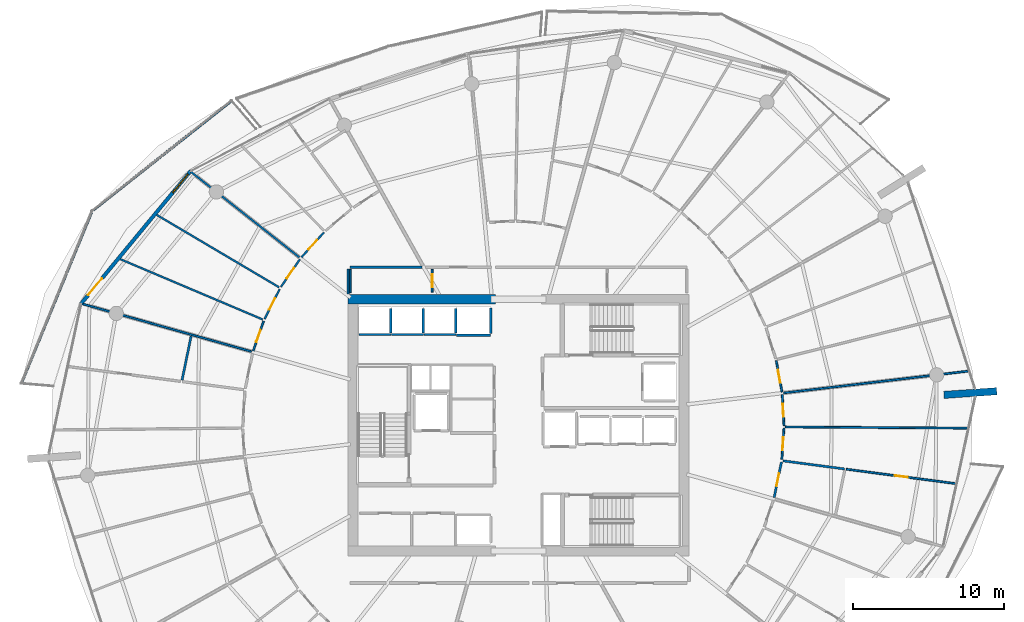
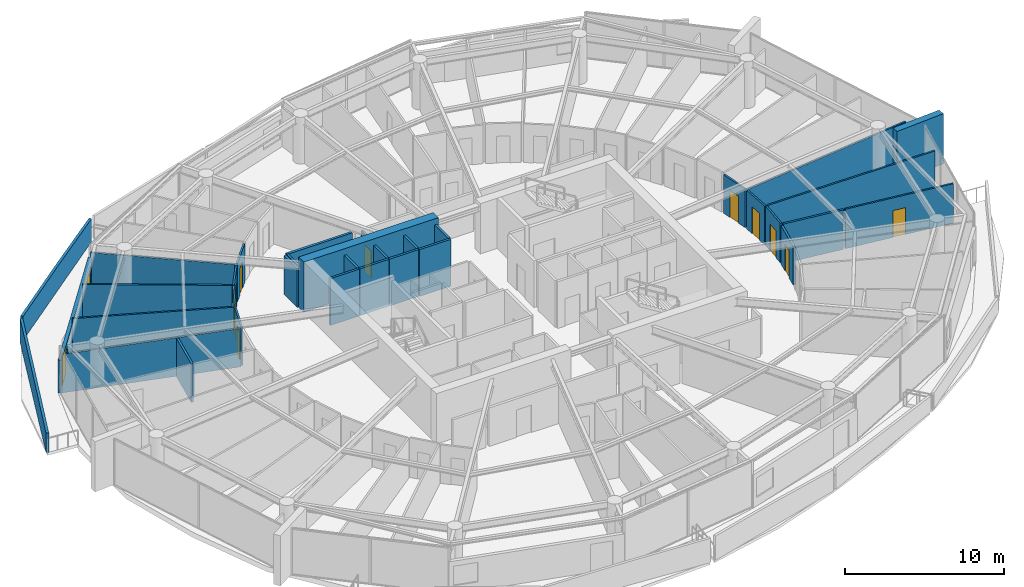
# One storey, part 21 of 30: 34 walls, 11 doors, 1 window, 12 openings.
"""IFC4 building model written with IfcOpenShell, lengths in metres."""

from ifc_helpers import new_model, si_unit, direction, frame, frame_2d, origin, place, context, subcontext, project, spatial, polyline, rectangle, outline, extrude, material, layer, layer_set, type_object, element, fill, save


model = new_model("IFC4")

# Units and contexts
model_context = context("Model", 3, precision=1e-05, world=origin(), true_north=direction((0.0, 1.0)))
body_context = subcontext(model_context, "Body", "Model", "MODEL_VIEW")
ifc_project = project(units=[si_unit("LENGTHUNIT", "METRE"), si_unit("AREAUNIT", "SQUARE_METRE"), si_unit("VOLUMEUNIT", "CUBIC_METRE"), si_unit("PLANEANGLEUNIT", "RADIAN"), si_unit("MASSUNIT", "GRAM", prefix="KILO")], contexts=[model_context])

# Site, building, storey
site_placement = place(None, origin())
site = spatial("IfcSite", under=ifc_project, at=site_placement, CompositionType="ELEMENT")
building_placement = place(site_placement, origin())
building = spatial("IfcBuilding", under=site, at=building_placement, Name="Kazma Halo Residences", CompositionType="ELEMENT")
storey_placement = place(building_placement, frame((0.0, 0.0, 236.699951171875)))
storey = spatial("IfcBuildingStorey", under=building, at=storey_placement, Name="L59", CompositionType="ELEMENT", Elevation=236.699951171875)

# Walls
ifc_material_1 = material(Name="White Concrete C50/60 Balustrade", Category="concrete")
ifc_layer_1 = layer(ifc_material_1, 0.179931640625)
ifc_layer_set_1 = layer_set([ifc_layer_1], Name="White Concrete C50/60 Balustrade")
wall_type_1 = type_object("IfcWallType", Name="WL-BAL-WAVE-180", PredefinedType="PARAPET", material=ifc_layer_set_1)
wall_1_placement = place(storey_placement, frame((29.44287109375, 63.4609375, 0.0), z_axis=(0.0, 0.0, 1.0), x_axis=(-0.784536716277, -0.620082366153, 0.0)))
element("IfcWall", 1, at=wall_1_placement, inside=storey, type_object=wall_type_1, Name="L59 white wave balustrade wall NW.1", PredefinedType="PARAPET", context=body_context, shape_type="SweptSolid", body=[
    extrude(outline(polyline([(0.0, 0.0), (11.65234375, 0.0), (11.652099609375, 1.83203125), (5.826171875, 1.85302734375), (0.0, 1.756103515625), (0.0, 0.0)])), frame((0.0, 0.08984375, 0.0), z_axis=(0.0, -1.0, 0.0), x_axis=(1.0, 0.0, 0.0)), (0.0, 0.0, 1.0), 0.179931640625),
])
wall_2_placement = place(storey_placement, frame((20.16162109375, 56.05029296875, 0.0), z_axis=(0.0, 0.0, 1.0), x_axis=(-0.3796059491, -0.92514827104, 0.0)))
element("IfcWall", 2, at=wall_2_placement, inside=storey, type_object=wall_type_1, Name="L59 white wave balustrade wall NW.2", PredefinedType="PARAPET", context=body_context, shape_type="SweptSolid", body=[
    extrude(outline(polyline([(0.0, 0.0), (12.208740234375, 0.0), (12.20849609375, 1.4970703125), (6.104248046875, 1.696044921875), (0.0, 1.83203125), (0.0, 0.0)])), frame((0.0, 0.08984375, 0.0), z_axis=(0.0, -1.0, 0.0), x_axis=(1.0, 0.0, 0.0)), (0.0, 0.0, 1.0), 0.179931640625),
])
ifc_material_2 = material(Name="Pale Concrete C60/75", Category="concrete")
ifc_layer_2 = layer(ifc_material_2, 0.47998046875)
ifc_layer_set_2 = layer_set([ifc_layer_2], Name="Pale Concrete C60/75")
wall_type_2 = type_object("IfcWallType", Name="WL-BLADE-480", PredefinedType="SOLIDWALL", material=ifc_layer_set_2)
wall_3_placement = place(storey_placement, frame((76.5625, 43.997314453125, 0.0), z_axis=(0.0, 0.0, 1.0), x_axis=(0.997563824095, 0.069759707979, 0.0)))
element("IfcWall", 3, at=wall_3_placement, inside=storey, type_object=wall_type_2, Name="L59 pale concrete structural blade fin wall BW-04", PredefinedType="SOLIDWALL", context=body_context, shape_type="SweptSolid", body=[
    extrude(rectangle(XDim=3.499755859375, YDim=0.47998046875, at=frame_2d((1.75, 0.0))), origin(), (0.0, 0.0, 1.0), 3.85009765625),
])
ifc_material_3 = material(Name="Concrete C60/75", Category="concrete")
ifc_layer_3 = layer(ifc_material_3, 0.64990234375)
ifc_layer_set_3 = layer_set([ifc_layer_3], Name="Concrete C60/75")
wall_type_3 = type_object("IfcWallType", Name="WL-CORE-650", PredefinedType="SHEAR", material=ifc_layer_set_3)
wall_4_placement = place(storey_placement, frame((37.14990234375, 50.324951171875, 0.0), z_axis=(0.0, 0.0, 1.0), x_axis=(1.0, 0.0, 0.0)))
element("IfcWall", 4, at=wall_4_placement, inside=storey, type_object=wall_type_3, Name="L59 central core shear wall NW", PredefinedType="SHEAR", context=body_context, shape_type="SweptSolid", body=[
    extrude(rectangle(XDim=9.75, YDim=0.64990234375, at=frame_2d((4.875, 0.0))), origin(), (0.0, 0.0, 1.0), 3.85009765625),
])
ifc_material_4 = material(Name="Acoustic Twin-Stud Gypsum")
ifc_layer_4 = layer(ifc_material_4, 0.179931640625)
ifc_layer_set_4 = layer_set([ifc_layer_4], Name="Acoustic Twin-Stud Gypsum")
wall_type_4 = type_object("IfcWallType", Name="WL-DEM-180", PredefinedType="PARTITIONING", material=ifc_layer_set_4)
wall_5_placement = place(storey_placement, frame((42.027587890625, 52.449951171875, 0.0), z_axis=(0.0, 0.0, 1.0), x_axis=(-1.0, 0.0, 0.0)))
element("IfcWall", 5, at=wall_5_placement, inside=storey, type_object=wall_type_4, Name="L59 Apartment 2 inner wall 4", PredefinedType="PARTITIONING", context=body_context, shape_type="SweptSolid", body=[
    extrude(rectangle(XDim=4.757568359375, YDim=0.179931640625, at=frame_2d((2.37890625, 0.0))), origin(), (0.0, 0.0, 1.0), 2.95703125),
])
wall_6_placement = place(storey_placement, frame((37.14990234375, 52.330078125, 0.0), z_axis=(0.0, 0.0, 1.0), x_axis=(0.0, -1.0, 0.0)))
element("IfcWall", 6, at=wall_6_placement, inside=storey, type_object=wall_type_4, Name="L59 Apartment 2 inner wall 4", PredefinedType="PARTITIONING", context=body_context, shape_type="SweptSolid", body=[
    extrude(rectangle(XDim=1.656494140625, YDim=0.179931640625, at=frame_2d((0.828125, 0.0))), origin(), (0.0, 0.0, 1.0), 2.95703125),
])

# Wall, openings, door, window
ifc_material_5 = material(Name="Insulated Pale-Metal Composite Wall")
ifc_layer_5 = layer(ifc_material_5, 0.239990234375)
ifc_layer_set_5 = layer_set([ifc_layer_5], Name="Insulated Pale-Metal Composite Wall")
wall_type_5 = type_object("IfcWallType", Name="WL-EXT-HOST-240", PredefinedType="SOLIDWALL", material=ifc_layer_set_5)
wall_7_placement = place(storey_placement, frame((26.7421875, 58.822021484375, 0.0), z_axis=(0.0, 0.0, 1.0), x_axis=(-0.636680093065, -0.771128043255, 0.0)))
wall_7 = element("IfcWall", 7, at=wall_7_placement, inside=storey, type_object=wall_type_5, Name="L59 exterior terrace-access wall B06", PredefinedType="SOLIDWALL", context=body_context, shape_type="SweptSolid", body=[
    extrude(rectangle(XDim=11.438232421875, YDim=0.239990234375, at=frame_2d((5.71923828125, 0.0))), origin(), (0.0, 0.0, 1.0), 2.5400390625),
])
opening_1_placement = place(wall_7_placement, frame((9.21826171875, 0.0, 0.0)))
opening_1 = element("IfcOpeningElement", 8, at=opening_1_placement, cuts=wall_7, Name="Opening DTR-1600", PredefinedType="OPENING", context=body_context, shape_type="SweptSolid", body=[
    extrude(rectangle(XDim=1.449951171875, YDim=2.14990234375, at=frame_2d((0.72509765625, 1.074951171875))), frame((0.0, 0.1298828125, 0.0), z_axis=(0.0, -1.0, 0.0), x_axis=(1.0, 0.0, 0.0)), (0.0, 0.0, 1.0), 0.260009765625),
])
opening_2_placement = place(wall_7_placement, frame((0.280029296875, 0.0, 0.64990234375)))
opening_2 = element("IfcOpeningElement", 9, at=opening_2_placement, cuts=wall_7, Name="Opening W-1800", PredefinedType="OPENING", context=body_context, shape_type="SweptSolid", body=[
    extrude(rectangle(XDim=1.60009765625, YDim=1.5, at=frame_2d((0.800048828125, 0.75))), frame((0.0, 0.1298828125, 0.0), z_axis=(0.0, -1.0, 0.0), x_axis=(1.0, 0.0, 0.0)), (0.0, 0.0, 1.0), 0.260009765625),
])
ifc_material_6 = material(Name="Aluminium AW-6063 T6 Double-Glazed Terrace Door", Category="aluminium")
door_type_1 = type_object("IfcDoorType", Name="DR-EXT-TERR-1600", OperationType="NOTDEFINED", PredefinedType="DOOR", material=ifc_material_6)
door_1_placement = place(opening_1_placement, origin())
door_1 = element("IfcDoor", 10, at=door_1_placement, inside=storey, type_object=door_type_1, Name="L59 B06 balcony terrace door", OperationType="DOUBLE_DOOR_SLIDING", OverallHeight=2.14990234375, OverallWidth=1.449951171875, PredefinedType="DOOR", context=body_context, shape_type="SweptSolid", body=[
    extrude(rectangle(XDim=1.449951171875, YDim=2.14990234375, at=frame_2d((0.72509765625, 1.074951171875))), frame((0.0, 0.02490234375, 0.0), z_axis=(0.0, -1.0, 0.0), x_axis=(1.0, 0.0, 0.0)), (0.0, 0.0, 1.0), 0.050048828125),
])
fill(opening_1, door_1)
ifc_material_7 = material(Name="Clear Triple-Silver Low-E Glass in Aluminium AW-6063 T6 Frame", Category="aluminium")
window_type = type_object("IfcWindowType", Name="WIN-RES-1800", PartitioningType="DOUBLE_PANEL_VERTICAL", PredefinedType="WINDOW", material=ifc_material_7)
window_placement = place(opening_2_placement, origin())
window = element("IfcWindow", 11, at=window_placement, inside=storey, type_object=window_type, Name="L59 B06 apartment window", OverallHeight=1.5, OverallWidth=1.60009765625, PartitioningType="SINGLE_PANEL", PredefinedType="WINDOW", context=body_context, shape_type="SweptSolid", body=[
    extrude(rectangle(XDim=1.60009765625, YDim=1.5, at=frame_2d((0.800048828125, 0.75))), frame((0.0, 0.030029296875, 0.0), z_axis=(0.0, -1.0, 0.0), x_axis=(1.0, 0.0, 0.0)), (0.0, 0.0, 1.0), 0.06005859375),
])
fill(opening_2, window)

# Walls
ifc_material_8 = material(Name="Fire-Rated Blockwork Masonry", Category="masonry")
ifc_layer_6 = layer(ifc_material_8, 0.199951171875)
ifc_layer_set_6 = layer_set([ifc_layer_6], Name="Fire-Rated Blockwork Masonry")
wall_type_6 = type_object("IfcWallType", Name="WL-FLB-200", PredefinedType="PARTITIONING", material=ifc_layer_set_6)
wall_8_placement = place(storey_placement, frame((39.97509765625, 47.9951171875, 0.0), z_axis=(0.0, 0.0, 1.0), x_axis=(-1.0, 0.0, 0.0)))
element("IfcWall", 12, at=wall_8_placement, inside=storey, type_object=wall_type_6, Name="L59 lift shaft PM-01 front wall", PredefinedType="PARTITIONING", context=body_context, shape_type="SweptSolid", body=[
    extrude(rectangle(XDim=2.110107421875, YDim=0.159912109375, at=frame_2d((1.05517578125, 0.0))), origin(), (0.0, 0.0, 1.0), 3.590087890625),
])
wall_9_placement = place(storey_placement, frame((39.97509765625, 48.094970703125, 0.0), z_axis=(0.0, 0.0, 1.0), x_axis=(0.0, 1.0, 0.0)))
element("IfcWall", 13, at=wall_9_placement, inside=storey, type_object=wall_type_6, Name="L59 lift shaft PM-01 side wall E", PredefinedType="PARTITIONING", context=body_context, shape_type="SweptSolid", body=[
    extrude(rectangle(XDim=1.610107421875, YDim=0.159912109375, at=frame_2d((0.80517578125, 0.0))), origin(), (0.0, 0.0, 1.0), 3.590087890625),
])
wall_10_placement = place(storey_placement, frame((42.125, 47.9951171875, 0.0), z_axis=(0.0, 0.0, 1.0), x_axis=(-1.0, 0.0, 0.0)))
element("IfcWall", 14, at=wall_10_placement, inside=storey, type_object=wall_type_6, Name="L59 lift shaft PM-02 front wall", PredefinedType="PARTITIONING", context=body_context, shape_type="SweptSolid", body=[
    extrude(rectangle(XDim=2.110107421875, YDim=0.159912109375, at=frame_2d((1.05517578125, 0.0))), origin(), (0.0, 0.0, 1.0), 3.590087890625),
])
wall_11_placement = place(storey_placement, frame((42.125, 48.094970703125, 0.0), z_axis=(0.0, 0.0, 1.0), x_axis=(0.0, 1.0, 0.0)))
element("IfcWall", 15, at=wall_11_placement, inside=storey, type_object=wall_type_6, Name="L59 lift shaft PM-02 side wall E", PredefinedType="PARTITIONING", context=body_context, shape_type="SweptSolid", body=[
    extrude(rectangle(XDim=1.610107421875, YDim=0.159912109375, at=frame_2d((0.80517578125, 0.0))), origin(), (0.0, 0.0, 1.0), 3.590087890625),
])
wall_12_placement = place(storey_placement, frame((44.27490234375, 47.9951171875, 0.0), z_axis=(0.0, 0.0, 1.0), x_axis=(-1.0, 0.0, 0.0)))
element("IfcWall", 16, at=wall_12_placement, inside=storey, type_object=wall_type_6, Name="L59 lift shaft PM-03 front wall", PredefinedType="PARTITIONING", context=body_context, shape_type="SweptSolid", body=[
    extrude(rectangle(XDim=2.10986328125, YDim=0.159912109375, at=frame_2d((1.054931640625, 0.0))), origin(), (0.0, 0.0, 1.0), 3.590087890625),
])
wall_13_placement = place(storey_placement, frame((44.27490234375, 48.094970703125, 0.0), z_axis=(0.0, 0.0, 1.0), x_axis=(0.0, 1.0, 0.0)))
element("IfcWall", 17, at=wall_13_placement, inside=storey, type_object=wall_type_6, Name="L59 lift shaft PM-03 side wall E", PredefinedType="PARTITIONING", context=body_context, shape_type="SweptSolid", body=[
    extrude(rectangle(XDim=1.610107421875, YDim=0.159912109375, at=frame_2d((0.80517578125, 0.0))), origin(), (0.0, 0.0, 1.0), 3.590087890625),
])
wall_14_placement = place(storey_placement, frame((46.580078125, 47.945068359375, 0.0), z_axis=(0.0, 0.0, 1.0), x_axis=(-1.0, 0.0, 0.0)))
element("IfcWall", 18, at=wall_14_placement, inside=storey, type_object=wall_type_6, Name="L59 lift shaft PX-01 front wall", PredefinedType="PARTITIONING", context=body_context, shape_type="SweptSolid", body=[
    extrude(rectangle(XDim=2.260009765625, YDim=0.159912109375, at=frame_2d((1.1298828125, 0.0))), origin(), (0.0, 0.0, 1.0), 3.590087890625),
])
wall_15_placement = place(storey_placement, frame((46.580078125, 48.044921875, 0.0), z_axis=(0.0, 0.0, 1.0), x_axis=(0.0, 1.0, 0.0)))
element("IfcWall", 19, at=wall_15_placement, inside=storey, type_object=wall_type_6, Name="L59 lift shaft PX-01 side wall E", PredefinedType="PARTITIONING", context=body_context, shape_type="SweptSolid", body=[
    extrude(rectangle(XDim=1.7099609375, YDim=0.159912109375, at=frame_2d((0.85498046875, 0.0))), origin(), (0.0, 0.0, 1.0), 3.590087890625),
])
ifc_material_9 = material(Name="Gypsum Plasterboard Partition")
ifc_layer_7 = layer(ifc_material_9, 0.125)
ifc_layer_set_7 = layer_set([ifc_layer_7], Name="Gypsum Plasterboard Partition")
wall_type_7 = type_object("IfcWallType", Name="WL-PART-125", PredefinedType="PARTITIONING", material=ifc_layer_set_7)
wall_16_placement = place(storey_placement, frame((37.2900390625, 50.77001953125, 0.0), z_axis=(0.0, 0.0, 1.0), x_axis=(0.0, 1.0, 0.0)))
element("IfcWall", 20, at=wall_16_placement, inside=storey, type_object=wall_type_7, Name="L59 west linen end wall", PredefinedType="PARTITIONING", context=body_context, shape_type="SweptSolid", body=[
    extrude(rectangle(XDim=1.5400390625, YDim=0.125, at=frame_2d((0.77001953125, 0.0))), origin(), (0.0, 0.0, 1.0), 3.030029296875),
])

# Wall, opening, door
wall_17_placement = place(storey_placement, frame((42.7099609375, 50.7900390625, 0.0), z_axis=(0.0, 0.0, 1.0), x_axis=(0.0, 1.0, 0.0)))
wall_17 = element("IfcWall", 21, at=wall_17_placement, inside=storey, type_object=wall_type_7, Name="L59 floor linen store door wall", PredefinedType="PARTITIONING", context=body_context, shape_type="SweptSolid", body=[
    extrude(rectangle(XDim=1.52001953125, YDim=0.125, at=frame_2d((0.760009765625, 0.0))), origin(), (0.0, 0.0, 1.0), 2.95703125),
])
opening_3_placement = place(wall_17_placement, frame((0.3349609375, 0.0, 0.0)))
opening_3 = element("IfcOpeningElement", 22, at=opening_3_placement, cuts=wall_17, Name="Opening DS-850", PredefinedType="OPENING", context=body_context, shape_type="SweptSolid", body=[
    extrude(rectangle(XDim=0.85009765625, YDim=2.06005859375, at=frame_2d((0.425048828125, 1.030029296875))), frame((0.0, 0.072509765625, 0.0), z_axis=(0.0, -1.0, 0.0), x_axis=(1.0, 0.0, 0.0)), (0.0, 0.0, 1.0), 0.14501953125),
])
ifc_material_10 = material(Name="Painted Steel Access Leaf", Category="steel")
door_type_2 = type_object("IfcDoorType", Name="DR-SVC-850", OperationType="NOTDEFINED", PredefinedType="DOOR", material=ifc_material_10)
door_2_placement = place(opening_3_placement, origin())
door_2 = element("IfcDoor", 23, at=door_2_placement, inside=storey, type_object=door_type_2, Name="L59 floor linen store door", OperationType="SINGLE_SWING_RIGHT", OverallHeight=2.06005859375, OverallWidth=0.85009765625, PredefinedType="DOOR", context=body_context, shape_type="SweptSolid", body=[
    extrude(rectangle(XDim=0.85009765625, YDim=2.06005859375, at=frame_2d((0.425048828125, 1.030029296875))), frame((0.0, 0.02490234375, 0.0), z_axis=(0.0, -1.0, 0.0), x_axis=(1.0, 0.0, 0.0)), (0.0, 0.0, 1.0), 0.050048828125),
])
fill(opening_3, door_2)

wall_18_placement = place(storey_placement, frame((35.547607421875, 54.745361328125, 0.0), z_axis=(0.0, 0.0, 1.0), x_axis=(-0.670266589225, -0.742120407595, 0.0)))
wall_18 = element("IfcWall", 24, at=wall_18_placement, inside=storey, type_object=wall_type_7, Name="L59 Apartment 2 Primary Bedroom hall wall", PredefinedType="PARTITIONING", context=body_context, shape_type="SweptSolid", body=[
    extrude(rectangle(XDim=2.205078125, YDim=0.125, at=frame_2d((1.1025390625, 0.0))), origin(), (0.0, 0.0, 1.0), 2.95703125),
])
opening_4_placement = place(wall_18_placement, frame((0.677490234375, 0.0, 0.0)))
opening_4 = element("IfcOpeningElement", 25, at=opening_4_placement, cuts=wall_18, Name="Opening DB-900", PredefinedType="OPENING", context=body_context, shape_type="SweptSolid", body=[
    extrude(rectangle(XDim=0.85009765625, YDim=2.06005859375, at=frame_2d((0.425048828125, 1.030029296875))), frame((0.0, 0.072509765625, 0.0), z_axis=(0.0, -1.0, 0.0), x_axis=(1.0, 0.0, 0.0)), (0.0, 0.0, 1.0), 0.14501953125),
])
ifc_material_11 = material(Name="Moisture-Sealed Timber Leaf", Category="wood")
door_type_3 = type_object("IfcDoorType", Name="DR-BTH-900", OperationType="NOTDEFINED", PredefinedType="DOOR", material=ifc_material_11)
door_3_placement = place(opening_4_placement, origin())
door_3 = element("IfcDoor", 26, at=door_3_placement, inside=storey, type_object=door_type_3, Name="L59 Apartment 2 Primary Bedroom door", OperationType="SINGLE_SWING_LEFT", OverallHeight=2.06005859375, OverallWidth=0.85009765625, PredefinedType="DOOR", context=body_context, shape_type="SweptSolid", body=[
    extrude(rectangle(XDim=0.85009765625, YDim=2.06005859375, at=frame_2d((0.425048828125, 1.030029296875))), frame((0.0, 0.02490234375, 0.0), z_axis=(0.0, -1.0, 0.0), x_axis=(1.0, 0.0, 0.0)), (0.0, 0.0, 1.0), 0.050048828125),
])
fill(opening_4, door_3)

# Walls
wall_19_placement = place(storey_placement, frame((33.924072265625, 53.0966796875, 0.0), z_axis=(0.0, 0.0, 1.0), x_axis=(-0.785328718296, 0.619078996752, 0.0)))
element("IfcWall", 27, at=wall_19_placement, inside=storey, type_object=wall_type_7, Name="L59 Apartment 2 radial partition 5", PredefinedType="PARTITIONING", context=body_context, shape_type="SweptSolid", body=[
    extrude(rectangle(XDim=9.16064453125, YDim=0.125, at=frame_2d((4.580322265625, 0.0))), origin(), (0.0, 0.0, 1.0), 2.95703125),
])
wall_20_placement = place(storey_placement, frame((32.58056640625, 51.118896484375, 0.0), z_axis=(0.0, 0.0, 1.0), x_axis=(-0.860730955096, 0.509060136859, 0.0)))
element("IfcWall", 28, at=wall_20_placement, inside=storey, type_object=wall_type_7, Name="L59 Apartment 2 bay wall 1 5", PredefinedType="PARTITIONING", context=body_context, shape_type="SweptSolid", body=[
    extrude(rectangle(XDim=9.397216796875, YDim=0.125, at=frame_2d((4.69873046875, 0.0))), origin(), (0.0, 0.0, 1.0), 3.030029296875),
])
wall_21_placement = place(storey_placement, frame((31.50390625, 48.985107421875, 0.0), z_axis=(0.0, 0.0, 1.0), x_axis=(-0.920847777273, 0.389922262882, 0.0)))
element("IfcWall", 29, at=wall_21_placement, inside=storey, type_object=wall_type_7, Name="L59 Apartment 2 bay wall 2 5", PredefinedType="PARTITIONING", context=body_context, shape_type="SweptSolid", body=[
    extrude(rectangle(XDim=10.241455078125, YDim=0.125, at=frame_2d((5.12060546875, 0.0))), origin(), (0.0, 0.0, 1.0), 3.030029296875),
])

# Wall, opening, door
wall_22_placement = place(storey_placement, frame((33.957275390625, 52.96875, 0.0), z_axis=(0.0, 0.0, 1.0), x_axis=(-0.565322986845, -0.824869638516, 0.0)))
wall_22 = element("IfcWall", 30, at=wall_22_placement, inside=storey, type_object=wall_type_7, Name="L59 Apartment 2 Primary Bedroom hall wall", PredefinedType="PARTITIONING", context=body_context, shape_type="SweptSolid", body=[
    extrude(rectangle(XDim=2.218017578125, YDim=0.125, at=frame_2d((1.10888671875, 0.0))), origin(), (0.0, 0.0, 1.0), 2.95703125),
])
opening_5_placement = place(wall_22_placement, frame((0.68408203125, 0.0, 0.0)))
opening_5 = element("IfcOpeningElement", 31, at=opening_5_placement, cuts=wall_22, Name="Opening DB-900", PredefinedType="OPENING", context=body_context, shape_type="SweptSolid", body=[
    extrude(rectangle(XDim=0.85009765625, YDim=2.06005859375, at=frame_2d((0.425048828125, 1.030029296875))), frame((0.0, 0.072509765625, 0.0), z_axis=(0.0, -1.0, 0.0), x_axis=(1.0, 0.0, 0.0)), (0.0, 0.0, 1.0), 0.14501953125),
])
door_4_placement = place(opening_5_placement, origin())
door_4 = element("IfcDoor", 32, at=door_4_placement, inside=storey, type_object=door_type_3, Name="L59 Apartment 2 Primary Bedroom door", OperationType="SINGLE_SWING_RIGHT", OverallHeight=2.06005859375, OverallWidth=0.85009765625, PredefinedType="DOOR", context=body_context, shape_type="SweptSolid", body=[
    extrude(rectangle(XDim=0.85009765625, YDim=2.06005859375, at=frame_2d((0.425048828125, 1.030029296875))), frame((0.0, 0.02490234375, 0.0), z_axis=(0.0, -1.0, 0.0), x_axis=(1.0, 0.0, 0.0)), (0.0, 0.0, 1.0), 0.050048828125),
])
fill(opening_5, door_4)

wall_23_placement = place(storey_placement, frame((32.6220703125, 51.001708984375, 0.0), z_axis=(0.0, 0.0, 1.0), x_axis=(-0.450512619302, -0.892770059898, 0.0)))
wall_23 = element("IfcWall", 33, at=wall_23_placement, inside=storey, type_object=wall_type_7, Name="L59 Apartment 2 Secondary Study hall wall", PredefinedType="PARTITIONING", context=body_context, shape_type="SweptSolid", body=[
    extrude(rectangle(XDim=2.218017578125, YDim=0.125, at=frame_2d((1.10888671875, 0.0))), origin(), (0.0, 0.0, 1.0), 3.030029296875),
])
opening_6_placement = place(wall_23_placement, frame((0.68408203125, 0.0, 0.0)))
opening_6 = element("IfcOpeningElement", 34, at=opening_6_placement, cuts=wall_23, Name="Opening DB-900", PredefinedType="OPENING", context=body_context, shape_type="SweptSolid", body=[
    extrude(rectangle(XDim=0.85009765625, YDim=2.06005859375, at=frame_2d((0.425048828125, 1.030029296875))), frame((0.0, 0.072509765625, 0.0), z_axis=(0.0, -1.0, 0.0), x_axis=(1.0, 0.0, 0.0)), (0.0, 0.0, 1.0), 0.14501953125),
])
door_5_placement = place(opening_6_placement, origin())
door_5 = element("IfcDoor", 35, at=door_5_placement, inside=storey, type_object=door_type_3, Name="L59 Apartment 2 Secondary Study door", OperationType="SINGLE_SWING_LEFT", OverallHeight=2.06005859375, OverallWidth=0.85009765625, PredefinedType="DOOR", context=body_context, shape_type="SweptSolid", body=[
    extrude(rectangle(XDim=0.85009765625, YDim=2.06005859375, at=frame_2d((0.425048828125, 1.030029296875))), frame((0.0, 0.02490234375, 0.0), z_axis=(0.0, -1.0, 0.0), x_axis=(1.0, 0.0, 0.0)), (0.0, 0.0, 1.0), 0.050048828125),
])
fill(opening_6, door_5)

wall_24_placement = place(storey_placement, frame((31.560302734375, 48.87451171875, 0.0), z_axis=(0.0, 0.0, 1.0), x_axis=(-0.331412511401, -0.943485955002, 0.0)))
wall_24 = element("IfcWall", 36, at=wall_24_placement, inside=storey, type_object=wall_type_7, Name="L59 Apartment 2 East Bedroom hall wall", PredefinedType="PARTITIONING", context=body_context, shape_type="SweptSolid", body=[
    extrude(rectangle(XDim=2.078125, YDim=0.125, at=frame_2d((1.0390625, 0.0))), origin(), (0.0, 0.0, 1.0), 2.95703125),
])
opening_7_placement = place(wall_24_placement, frame((0.6142578125, 0.0, 0.0)))
opening_7 = element("IfcOpeningElement", 37, at=opening_7_placement, cuts=wall_24, Name="Opening DB-900", PredefinedType="OPENING", context=body_context, shape_type="SweptSolid", body=[
    extrude(rectangle(XDim=0.85009765625, YDim=2.06005859375, at=frame_2d((0.425048828125, 1.030029296875))), frame((0.0, 0.072509765625, 0.0), z_axis=(0.0, -1.0, 0.0), x_axis=(1.0, 0.0, 0.0)), (0.0, 0.0, 1.0), 0.14501953125),
])
door_6_placement = place(opening_7_placement, origin())
door_6 = element("IfcDoor", 38, at=door_6_placement, inside=storey, type_object=door_type_3, Name="L59 Apartment 2 East Bedroom door", OperationType="SINGLE_SWING_RIGHT", OverallHeight=2.06005859375, OverallWidth=0.85009765625, PredefinedType="DOOR", context=body_context, shape_type="SweptSolid", body=[
    extrude(rectangle(XDim=0.85009765625, YDim=2.06005859375, at=frame_2d((0.425048828125, 1.030029296875))), frame((0.0, 0.02490234375, 0.0), z_axis=(0.0, -1.0, 0.0), x_axis=(1.0, 0.0, 0.0)), (0.0, 0.0, 1.0), 0.050048828125),
])
fill(opening_7, door_6)

# Wall
wall_25_placement = place(storey_placement, frame((30.7490234375, 46.865234375, 0.0), z_axis=(0.0, 0.0, 1.0), x_axis=(-0.962453068054, 0.271448138313, 0.0)))
element("IfcWall", 39, at=wall_25_placement, inside=storey, type_object=wall_type_7, Name="L59 Apartment 2 radial partition 6", PredefinedType="PARTITIONING", context=body_context, shape_type="SweptSolid", body=[
    extrude(rectangle(XDim=11.57177734375, YDim=0.125, at=frame_2d((5.785888671875, 0.0))), origin(), (0.0, 0.0, 1.0), 2.95703125),
])

# Wall, opening, door
wall_26_placement = place(storey_placement, frame((70.10546875, 39.083740234375, 0.0), z_axis=(0.0, 0.0, 1.0), x_axis=(0.99141356947, -0.130763658066, 0.0)))
wall_26 = element("IfcWall", 40, at=wall_26_placement, inside=storey, type_object=wall_type_7, Name="L59 Apartment 4 Secondary Walk-In Wardrobe partition wall", PredefinedType="PARTITIONING", context=body_context, shape_type="SweptSolid", body=[
    extrude(rectangle(XDim=7.333740234375, YDim=0.125, at=frame_2d((3.6669921875, 0.0))), origin(), (0.0, 0.0, 1.0), 3.030029296875),
])
opening_8_placement = place(wall_26_placement, frame((3.24169921875, 0.0, 0.0)))
opening_8 = element("IfcOpeningElement", 41, at=opening_8_placement, cuts=wall_26, Name="Opening DB-900", PredefinedType="OPENING", context=body_context, shape_type="SweptSolid", body=[
    extrude(rectangle(XDim=0.85009765625, YDim=2.06005859375, at=frame_2d((0.425048828125, 1.030029296875))), frame((0.0, 0.072509765625, 0.0), z_axis=(0.0, -1.0, 0.0), x_axis=(1.0, 0.0, 0.0)), (0.0, 0.0, 1.0), 0.14501953125),
])
door_7_placement = place(opening_8_placement, origin())
door_7 = element("IfcDoor", 42, at=door_7_placement, inside=storey, type_object=door_type_3, Name="L59 Apartment 4 Secondary Walk-In Wardrobe door", OperationType="SINGLE_SWING_LEFT", OverallHeight=2.06005859375, OverallWidth=0.85009765625, PredefinedType="DOOR", context=body_context, shape_type="SweptSolid", body=[
    extrude(rectangle(XDim=0.85009765625, YDim=2.06005859375, at=frame_2d((0.425048828125, 1.030029296875))), frame((0.0, 0.02490234375, 0.0), z_axis=(0.0, -1.0, 0.0), x_axis=(1.0, 0.0, 0.0)), (0.0, 0.0, 1.0), 0.050048828125),
])
fill(opening_8, door_7)

# Wall
wall_27_placement = place(storey_placement, frame((66.07666015625, 41.87939453125, 0.0), z_axis=(0.0, 0.0, 1.0), x_axis=(0.999977653576, -0.006685233652, 0.0)))
element("IfcWall", 43, at=wall_27_placement, inside=storey, type_object=wall_type_7, Name="L59 Apartment 4 suite divider 14", PredefinedType="PARTITIONING", context=body_context, shape_type="SweptSolid", body=[
    extrude(rectangle(XDim=12.087890625, YDim=0.125, at=frame_2d((6.0439453125, 0.0))), origin(), (0.0, 0.0, 1.0), 3.030029296875),
])

# Wall, opening, door
wall_28_placement = place(storey_placement, frame((65.838623046875, 39.7373046875, 0.0), z_axis=(0.0, 0.0, 1.0), x_axis=(0.068956077985, 0.997619696733, 0.0)))
wall_28 = element("IfcWall", 44, at=wall_28_placement, inside=storey, type_object=wall_type_7, Name="L59 Apartment 4 East Formal Dining Room hall wall", PredefinedType="PARTITIONING", context=body_context, shape_type="SweptSolid", body=[
    extrude(rectangle(XDim=2.067626953125, YDim=0.125, at=frame_2d((1.03369140625, 0.0))), origin(), (0.0, 0.0, 1.0), 3.030029296875),
])
opening_9_placement = place(wall_28_placement, frame((0.60888671875, 0.0, 0.0)))
opening_9 = element("IfcOpeningElement", 45, at=opening_9_placement, cuts=wall_28, Name="Opening DB-900", PredefinedType="OPENING", context=body_context, shape_type="SweptSolid", body=[
    extrude(rectangle(XDim=0.85009765625, YDim=2.06005859375, at=frame_2d((0.425048828125, 1.030029296875))), frame((0.0, 0.072509765625, 0.0), z_axis=(0.0, -1.0, 0.0), x_axis=(1.0, 0.0, 0.0)), (0.0, 0.0, 1.0), 0.14501953125),
])
door_8_placement = place(opening_9_placement, origin())
door_8 = element("IfcDoor", 46, at=door_8_placement, inside=storey, type_object=door_type_3, Name="L59 Apartment 4 East Formal Dining Room door", OperationType="SINGLE_SWING_RIGHT", OverallHeight=2.06005859375, OverallWidth=0.85009765625, PredefinedType="DOOR", context=body_context, shape_type="SweptSolid", body=[
    extrude(rectangle(XDim=0.85009765625, YDim=2.06005859375, at=frame_2d((0.425048828125, 1.030029296875))), frame((0.0, 0.02490234375, 0.0), z_axis=(0.0, -1.0, 0.0), x_axis=(1.0, 0.0, 0.0)), (0.0, 0.0, 1.0), 0.050048828125),
])
fill(opening_9, door_8)

wall_29_placement = place(storey_placement, frame((65.982177734375, 41.959716796875, 0.0), z_axis=(0.0, 0.0, 1.0), x_axis=(-0.055522585307, 0.998457431502, 0.0)))
wall_29 = element("IfcWall", 47, at=wall_29_placement, inside=storey, type_object=wall_type_7, Name="L59 Apartment 4 West Master Bedroom hall wall", PredefinedType="PARTITIONING", context=body_context, shape_type="SweptSolid", body=[
    extrude(rectangle(XDim=2.057861328125, YDim=0.125, at=frame_2d((1.02880859375, 0.0))), origin(), (0.0, 0.0, 1.0), 2.95703125),
])
opening_10_placement = place(wall_29_placement, frame((0.603759765625, 0.0, 0.0)))
opening_10 = element("IfcOpeningElement", 48, at=opening_10_placement, cuts=wall_29, Name="Opening DB-900", PredefinedType="OPENING", context=body_context, shape_type="SweptSolid", body=[
    extrude(rectangle(XDim=0.85009765625, YDim=2.06005859375, at=frame_2d((0.425048828125, 1.030029296875))), frame((0.0, 0.072509765625, 0.0), z_axis=(0.0, -1.0, 0.0), x_axis=(1.0, 0.0, 0.0)), (0.0, 0.0, 1.0), 0.14501953125),
])
door_9_placement = place(opening_10_placement, origin())
door_9 = element("IfcDoor", 49, at=door_9_placement, inside=storey, type_object=door_type_3, Name="L59 Apartment 4 West Master Bedroom door", OperationType="SINGLE_SWING_LEFT", OverallHeight=2.06005859375, OverallWidth=0.85009765625, PredefinedType="DOOR", context=body_context, shape_type="SweptSolid", body=[
    extrude(rectangle(XDim=0.85009765625, YDim=2.06005859375, at=frame_2d((0.425048828125, 1.030029296875))), frame((0.0, 0.02490234375, 0.0), z_axis=(0.0, -1.0, 0.0), x_axis=(1.0, 0.0, 0.0)), (0.0, 0.0, 1.0), 0.050048828125),
])
fill(opening_10, door_9)

# Wall
wall_30_placement = place(storey_placement, frame((65.961669921875, 44.1259765625, 0.0), z_axis=(0.0, 0.0, 1.0), x_axis=(0.993068810962, 0.117534406428, 0.0)))
element("IfcWall", 50, at=wall_30_placement, inside=storey, type_object=wall_type_7, Name="L59 Apartment 4 radial partition 15", PredefinedType="PARTITIONING", context=body_context, shape_type="SweptSolid", body=[
    extrude(rectangle(XDim=12.342529296875, YDim=0.125, at=frame_2d((6.17138671875, 0.0))), origin(), (0.0, 0.0, 1.0), 2.95703125),
])

# Wall, opening, door
wall_31_placement = place(storey_placement, frame((65.847900390625, 44.19287109375, 0.0), z_axis=(0.0, 0.0, 1.0), x_axis=(-0.179601937348, 0.983739367973, 0.0)))
wall_31 = element("IfcWall", 51, at=wall_31_placement, inside=storey, type_object=wall_type_7, Name="L59 Apartment 4 North Master Bedroom hall wall", PredefinedType="PARTITIONING", context=body_context, shape_type="SweptSolid", body=[
    extrude(rectangle(XDim=2.098876953125, YDim=0.125, at=frame_2d((1.04931640625, 0.0))), origin(), (0.0, 0.0, 1.0), 2.95703125),
])
opening_11_placement = place(wall_31_placement, frame((0.62451171875, 0.0, 0.0)))
opening_11 = element("IfcOpeningElement", 52, at=opening_11_placement, cuts=wall_31, Name="Opening DB-900", PredefinedType="OPENING", context=body_context, shape_type="SweptSolid", body=[
    extrude(rectangle(XDim=0.85009765625, YDim=2.06005859375, at=frame_2d((0.425048828125, 1.030029296875))), frame((0.0, 0.072509765625, 0.0), z_axis=(0.0, -1.0, 0.0), x_axis=(1.0, 0.0, 0.0)), (0.0, 0.0, 1.0), 0.14501953125),
])
door_10_placement = place(opening_11_placement, origin())
door_10 = element("IfcDoor", 53, at=door_10_placement, inside=storey, type_object=door_type_3, Name="L59 Apartment 4 North Master Bedroom door", OperationType="SINGLE_SWING_RIGHT", OverallHeight=2.06005859375, OverallWidth=0.85009765625, PredefinedType="DOOR", context=body_context, shape_type="SweptSolid", body=[
    extrude(rectangle(XDim=0.85009765625, YDim=2.06005859375, at=frame_2d((0.425048828125, 1.030029296875))), frame((0.0, 0.02490234375, 0.0), z_axis=(0.0, -1.0, 0.0), x_axis=(1.0, 0.0, 0.0)), (0.0, 0.0, 1.0), 0.050048828125),
])
fill(opening_11, door_10)

# Wall
ifc_material_12 = material(Name="Moisture-Resistant Gypsum")
ifc_layer_8 = layer(ifc_material_12, 0.14990234375)
ifc_layer_set_8 = layer_set([ifc_layer_8], Name="Moisture-Resistant Gypsum")
wall_type_8 = type_object("IfcWallType", Name="WL-WET-150", PredefinedType="PARTITIONING", material=ifc_layer_set_8)
wall_32_placement = place(storey_placement, frame((26.763427734375, 47.8857421875, 0.0), z_axis=(0.0, 0.0, 1.0), x_axis=(-0.20166681044, -0.979454183496, 0.0)))
element("IfcWall", 54, at=wall_32_placement, inside=storey, type_object=wall_type_8, Name="L59 Apartment 2 West En-Suite Bathroom back wall", PredefinedType="PARTITIONING", context=body_context, shape_type="SweptSolid", body=[
    extrude(rectangle(XDim=2.9755859375, YDim=0.14990234375, at=frame_2d((1.48779296875, 0.0))), origin(), (0.0, 0.0, 1.0), 2.95703125),
])

# Wall, opening, door
wall_33_placement = place(storey_placement, frame((65.331787109375, 37.215576171875, 0.0), z_axis=(0.0, 0.0, 1.0), x_axis=(0.201704737572, 0.979446373642, 0.0)))
wall_33 = element("IfcWall", 55, at=wall_33_placement, inside=storey, type_object=wall_type_8, Name="L59 Apartment 4 Primary En-Suite Bathroom hall wall", PredefinedType="PARTITIONING", context=body_context, shape_type="SweptSolid", body=[
    extrude(rectangle(XDim=2.392822265625, YDim=0.14990234375, at=frame_2d((1.1962890625, 0.0))), origin(), (0.0, 0.0, 1.0), 2.95703125),
])
opening_12_placement = place(wall_33_placement, frame((0.771484375, 0.0, 0.0)))
opening_12 = element("IfcOpeningElement", 56, at=opening_12_placement, cuts=wall_33, Name="Opening DB-900", PredefinedType="OPENING", context=body_context, shape_type="SweptSolid", body=[
    extrude(rectangle(XDim=0.85009765625, YDim=2.06005859375, at=frame_2d((0.425048828125, 1.030029296875))), frame((0.0, 0.0849609375, 0.0), z_axis=(0.0, -1.0, 0.0), x_axis=(1.0, 0.0, 0.0)), (0.0, 0.0, 1.0), 0.169921875),
])
door_11_placement = place(opening_12_placement, origin())
door_11 = element("IfcDoor", 57, at=door_11_placement, inside=storey, type_object=door_type_3, Name="L59 Apartment 4 Primary En-Suite Bathroom door", OperationType="SINGLE_SWING_RIGHT", OverallHeight=2.06005859375, OverallWidth=0.85009765625, PredefinedType="DOOR", context=body_context, shape_type="SweptSolid", body=[
    extrude(rectangle(XDim=0.85009765625, YDim=2.06005859375, at=frame_2d((0.425048828125, 1.030029296875))), frame((0.0, 0.02490234375, 0.0), z_axis=(0.0, -1.0, 0.0), x_axis=(1.0, 0.0, 0.0)), (0.0, 0.0, 1.0), 0.050048828125),
])
fill(opening_12, door_11)

# Wall
wall_34_placement = place(storey_placement, frame((65.921630859375, 39.6357421875, 0.0), z_axis=(0.0, 0.0, 1.0), x_axis=(0.991410965895, -0.130783396127, 0.0)))
element("IfcWall", 58, at=wall_34_placement, inside=storey, type_object=wall_type_8, Name="L59 Apartment 4 Primary En-Suite Bathroom side wall", PredefinedType="PARTITIONING", context=body_context, shape_type="SweptSolid", body=[
    extrude(rectangle(XDim=4.090087890625, YDim=0.14990234375, at=frame_2d((2.044921875, 0.0))), origin(), (0.0, 0.0, 1.0), 3.030029296875),
])

save(model, "model.ifc")
